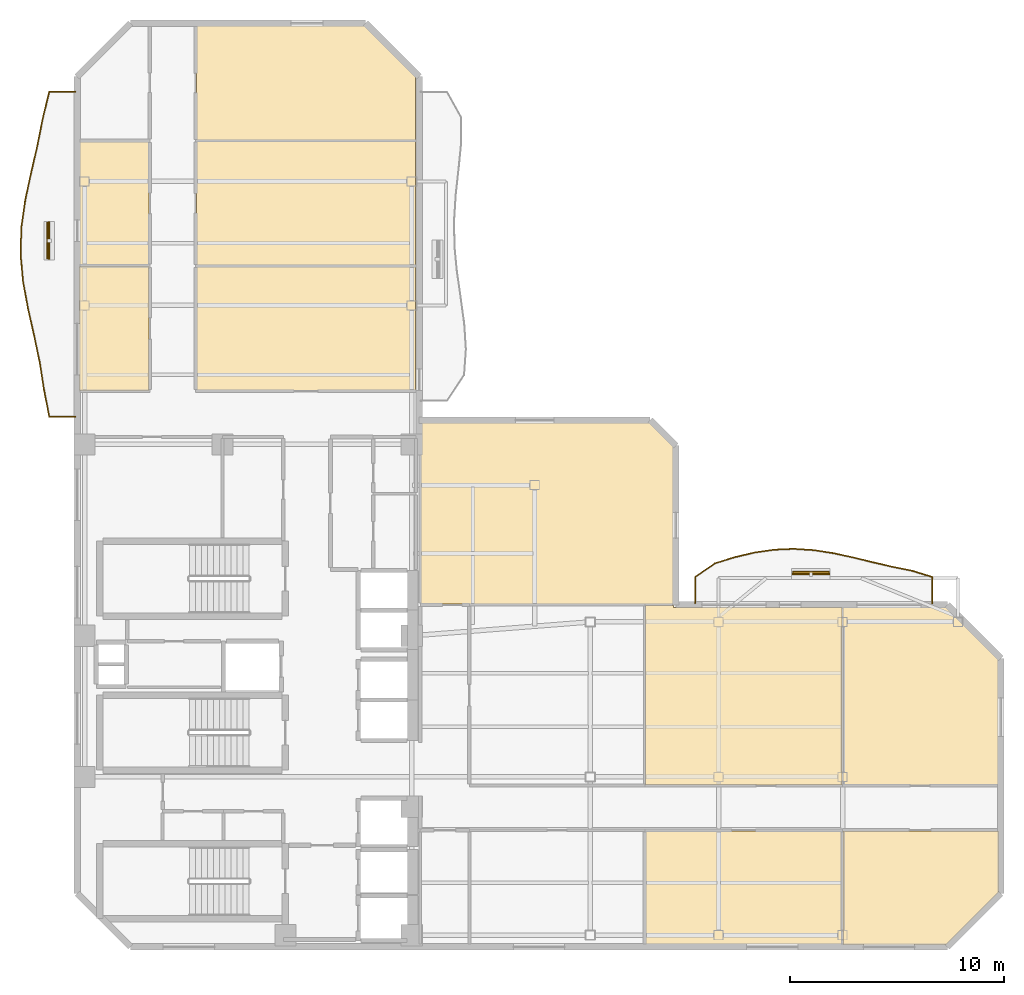
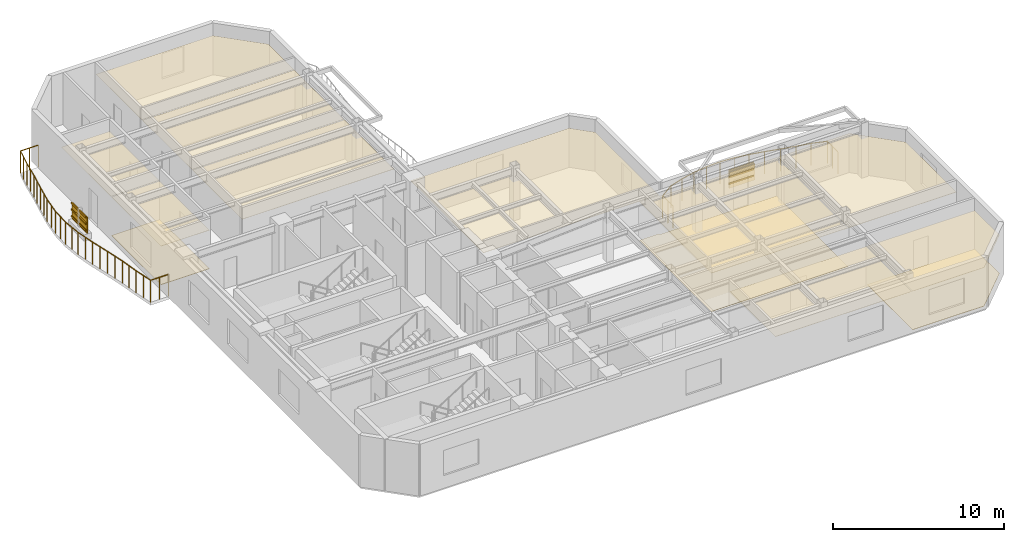
# One storey, part 8 of 9: 13 coverings, 8 shading devices, 2 railings.
"""IFC4 building model written with IfcOpenShell, lengths in metres."""

from ifc_helpers import new_model, si_unit, direction, frame, origin, origin_2d, place, context, subcontext, project, spatial, polyline, rectangle, outline, extrude, material, layer, layer_set, material_profile, profile_set, type_object, element, save


model = new_model("IFC4")

# Units and contexts
model_context = context("Model", 3, precision=1e-05, world=origin(), true_north=direction((0.0, 1.0)))
body_context = subcontext(model_context, "Body", "Model", "MODEL_VIEW")
ifc_project = project(units=[si_unit("LENGTHUNIT", "METRE"), si_unit("AREAUNIT", "SQUARE_METRE"), si_unit("VOLUMEUNIT", "CUBIC_METRE"), si_unit("PLANEANGLEUNIT", "RADIAN"), si_unit("MASSUNIT", "GRAM", prefix="KILO")], contexts=[model_context])

# Site, building, storey
site_placement = place(None, origin())
site = spatial("IfcSite", under=ifc_project, at=site_placement, CompositionType="ELEMENT")
building_placement = place(site_placement, origin())
building = spatial("IfcBuilding", under=site, at=building_placement, Name="Mawjaban Terraces University", CompositionType="ELEMENT")
storey_placement = place(building_placement, frame((0.0, 0.0, 179.699951171875)))
storey = spatial("IfcBuildingStorey", under=building, at=storey_placement, Name="L43", CompositionType="ELEMENT", Elevation=179.699951171875)

# Coverings
ifc_material_1 = material(Name="Acoustic mineral fibre ceiling tile", Category="masonry")
ifc_layer_1 = layer(ifc_material_1, 0.02001953125)
ifc_layer_set_1 = layer_set([ifc_layer_1], Name="Acoustic mineral fibre ceiling tile")
covering_type_1 = type_object("IfcCoveringType", Name="AcousticMineralCeiling_20", PredefinedType="CEILING", material=ifc_layer_set_1)
covering_1_placement = place(storey_placement, frame((0.0, 0.0, 2.75)))
element("IfcCovering", 1, at=covering_1_placement, inside=storey, type_object=covering_type_1, Name="L43 Teaching Laboratory 4 Acoustic Ceiling", PredefinedType="CEILING", context=body_context, shape_type="SweptSolid", body=[
    extrude(outline(polyline([(48.580078125, 0.114990234375), (57.77001953125, 0.114990234375), (57.77001953125, 5.419921875), (48.580078125, 5.419921875), (48.580078125, 0.114990234375)])), origin(), (0.0, 0.0, 1.0), 0.02001953125),
])
covering_2_placement = place(storey_placement, frame((0.0, 0.0, 2.75)))
element("IfcCovering", 2, at=covering_2_placement, inside=storey, type_object=covering_type_1, Name="L43 Seminar Room 5 Acoustic Ceiling", PredefinedType="CEILING", context=body_context, shape_type="SweptSolid", body=[
    extrude(outline(polyline([(57.77001953125, 15.885009765625), (49.885009765625, 15.885009765625), (49.885009765625, 15.969970703125), (48.580078125, 15.969970703125), (48.580078125, 7.580078125), (57.77001953125, 7.580078125), (57.77001953125, 15.885009765625)])), origin(), (0.0, 0.0, 1.0), 0.02001953125),
])
covering_3_placement = place(storey_placement, frame((0.0, 0.0, 2.75)))
element("IfcCovering", 3, at=covering_3_placement, inside=storey, type_object=covering_type_1, Name="L43 Classroom 6 Acoustic Ceiling", PredefinedType="CEILING", context=body_context, shape_type="SweptSolid", body=[
    extrude(outline(polyline([(57.830078125, 0.114990234375), (62.653076171875, 0.114990234375), (65.0849609375, 2.547119140625), (65.0849609375, 5.419921875), (57.830078125, 5.419921875), (57.830078125, 0.114990234375)])), origin(), (0.0, 0.0, 1.0), 0.02001953125),
])
covering_4_placement = place(storey_placement, frame((0.0, 0.0, 2.75)))
element("IfcCovering", 4, at=covering_4_placement, inside=storey, type_object=covering_type_1, Name="L43 Faculty Office 7 Acoustic Ceiling", PredefinedType="CEILING", context=body_context, shape_type="SweptSolid", body=[
    extrude(outline(polyline([(65.0849609375, 7.580078125), (65.0849609375, 13.452880859375), (62.653076171875, 15.885009765625), (57.830078125, 15.885009765625), (57.830078125, 7.580078125), (65.0849609375, 7.580078125)])), origin(), (0.0, 0.0, 1.0), 0.02001953125),
])
covering_5_placement = place(storey_placement, frame((0.0, 0.0, 2.75)))
element("IfcCovering", 5, at=covering_5_placement, inside=storey, type_object=covering_type_1, Name="L43 Classroom 8 Acoustic Ceiling", PredefinedType="CEILING", context=body_context, shape_type="SweptSolid", body=[
    extrude(outline(polyline([(22.114990234375, 31.818115234375), (22.114990234375, 26.030029296875), (25.3701171875, 26.030029296875), (25.3701171875, 31.818115234375), (22.114990234375, 31.818115234375)])), origin(), (0.0, 0.0, 1.0), 0.02001953125),
])
covering_6_placement = place(storey_placement, frame((0.0, 0.0, 2.75)))
element("IfcCovering", 6, at=covering_6_placement, inside=storey, type_object=covering_type_1, Name="L43 Computational Laboratory 9 Acoustic Ceiling", PredefinedType="CEILING", context=body_context, shape_type="SweptSolid", body=[
    extrude(outline(polyline([(37.820068359375, 26.030029296875), (37.820068359375, 31.818115234375), (27.580078125, 31.818115234375), (27.580078125, 26.030029296875), (37.820068359375, 26.030029296875)])), origin(), (0.0, 0.0, 1.0), 0.02001953125),
])
covering_7_placement = place(storey_placement, frame((0.0, 0.0, 2.75)))
element("IfcCovering", 7, at=covering_7_placement, inside=storey, type_object=covering_type_1, Name="L43 Design Studio 10 Acoustic Ceiling", PredefinedType="CEILING", context=body_context, shape_type="SweptSolid", body=[
    extrude(outline(polyline([(22.114990234375, 37.666015625), (22.114990234375, 31.8779296875), (25.3701171875, 31.8779296875), (25.3701171875, 37.666015625), (22.114990234375, 37.666015625)])), origin(), (0.0, 0.0, 1.0), 0.02001953125),
])
covering_8_placement = place(storey_placement, frame((0.0, 0.0, 2.75)))
element("IfcCovering", 8, at=covering_8_placement, inside=storey, type_object=covering_type_1, Name="L43 Faculty Office 11 Acoustic Ceiling", PredefinedType="CEILING", context=body_context, shape_type="SweptSolid", body=[
    extrude(outline(polyline([(37.820068359375, 31.8779296875), (37.820068359375, 37.666015625), (27.580078125, 37.666015625), (27.580078125, 31.8779296875), (37.820068359375, 31.8779296875)])), origin(), (0.0, 0.0, 1.0), 0.02001953125),
])
covering_9_placement = place(storey_placement, frame((0.0, 0.0, 2.75)))
element("IfcCovering", 9, at=covering_9_placement, inside=storey, type_object=covering_type_1, Name="L43 Collaborative Study Room 13 Acoustic Ceiling", PredefinedType="CEILING", context=body_context, shape_type="SweptSolid", body=[
    extrude(outline(polyline([(37.820068359375, 40.718017578125), (35.452880859375, 43.0849609375), (27.580078125, 43.0849609375), (27.580078125, 37.72607421875), (37.820068359375, 37.72607421875), (37.820068359375, 40.718017578125)])), origin(), (0.0, 0.0, 1.0), 0.02001953125),
])
covering_10_placement = place(storey_placement, frame((0.0, 0.0, 2.75)))
element("IfcCovering", 10, at=covering_10_placement, inside=storey, type_object=covering_type_1, Name="L43 Terrace Collaborative Study Room Acoustic Ceiling", PredefinedType="CEILING", context=body_context, shape_type="SweptSolid", body=[
    extrude(outline(polyline([(49.885009765625, 16.030029296875), (49.885009765625, 23.39306640625), (48.7529296875, 24.52490234375), (38.080078125, 24.52490234375), (38.080078125, 16.030029296875), (49.885009765625, 16.030029296875)])), origin(), (0.0, 0.0, 1.0), 0.02001953125),
])

# Railings
ifc_material_2 = material(Name="Galvanised powder-coated steel S355", Category="steel")
railing_type = type_object("IfcRailingType", Name="BalconyBalustrade_1600", PredefinedType="BALUSTRADE", material=ifc_material_2)
railing_1_placement = place(storey_placement, frame((21.919921875, 24.800048828125, 0.0)))
element("IfcRailing", 11, at=railing_1_placement, inside=storey, type_object=railing_type, Name="L43 Balcony Guardrail west", PredefinedType="BALUSTRADE", context=body_context, shape_type="SweptSolid", body=[
    extrude(rectangle(XDim=0.048095703125, YDim=0.048095703125, at=origin_2d()), frame((0.0, 0.0, 1.576171875), z_axis=(-1.0, 0.0, 0.0), x_axis=(0.0, -1.0, 0.0)), (0.0, 0.0, 1.0), 1.219970703125),
    extrude(rectangle(XDim=0.048095703125, YDim=0.048095703125, at=origin_2d()), frame((-1.219970703125, 0.0, 1.576171875), z_axis=(-0.192878604665, 0.981222627064, 0.0), x_axis=(-0.981222627064, -0.192878604665, 0.0)), (0.0, 0.0, 1.0), 1.291015625),
    extrude(rectangle(XDim=0.048095703125, YDim=0.048095703125, at=origin_2d()), frame((-1.468994140625, 1.266845703125, 1.576171875), z_axis=(-0.153760748703, 0.988108107526, 0.0), x_axis=(-0.988108107526, -0.153760748703, 0.0)), (0.0, 0.0, 1.0), 1.28125),
    extrude(rectangle(XDim=0.048095703125, YDim=0.048095703125, at=origin_2d()), frame((-1.666015625, 2.532958984375, 1.576171875), z_axis=(-0.205354685129, 0.978687617831, 0.0), x_axis=(-0.978687617831, -0.205354685129, 0.0)), (0.0, 0.0, 1.0), 1.294677734375),
    extrude(rectangle(XDim=0.048095703125, YDim=0.048095703125, at=origin_2d()), frame((-1.931884765625, 3.800048828125, 1.576171875), z_axis=(-0.220312798327, 0.975429275188, 0.0), x_axis=(-0.975429275188, -0.220312798327, 0.0)), (0.0, 0.0, 1.0), 1.298828125),
    extrude(rectangle(XDim=0.048095703125, YDim=0.048095703125, at=origin_2d()), frame((-2.218017578125, 5.06689453125, 1.576171875), z_axis=(-0.180187181391, 0.983632339679, 0.0), x_axis=(-0.983632339679, -0.180187181391, 0.0)), (0.0, 0.0, 1.0), 1.287109375),
    extrude(rectangle(XDim=0.048095703125, YDim=0.048095703125, at=origin_2d()), frame((-2.449951171875, 6.3330078125, 1.576171875), z_axis=(-0.089635795522, 0.995974610199, 0.0), x_axis=(-0.995974610199, -0.089635795522, 0.0)), (0.0, 0.0, 1.0), 1.27197265625),
    extrude(rectangle(XDim=0.048095703125, YDim=0.048095703125, at=origin_2d()), frame((-2.56396484375, 7.599853515625, 1.576171875), z_axis=(0.03081387714, 0.999525139742, 0.0), x_axis=(-0.999525139742, 0.03081387714, 0.0)), (0.0, 0.0, 1.0), 1.267578125),
    extrude(rectangle(XDim=0.048095703125, YDim=0.048095703125, at=origin_2d()), frame((-2.52490234375, 8.866943359375, 1.576171875), z_axis=(0.141448080519, 0.989945675538, 0.0), x_axis=(-0.989945675538, 0.141448080519, 0.0)), (0.0, 0.0, 1.0), 1.279052734375),
    extrude(rectangle(XDim=0.048095703125, YDim=0.048095703125, at=origin_2d()), frame((-2.343994140625, 10.133056640625, 1.576171875), z_axis=(0.209902241182, 0.97772237836, 0.0), x_axis=(-0.97772237836, 0.209902241182, 0.0)), (0.0, 0.0, 1.0), 1.295654296875),
    extrude(rectangle(XDim=0.048095703125, YDim=0.048095703125, at=origin_2d()), frame((-2.072021484375, 11.39990234375, 1.576171875), z_axis=(0.225448983558, 0.974254974744, 0.0), x_axis=(-0.974254974744, 0.225448983558, 0.0)), (0.0, 0.0, 1.0), 1.300537109375),
    extrude(rectangle(XDim=0.048095703125, YDim=0.048095703125, at=origin_2d()), frame((-1.77880859375, 12.6669921875, 1.576171875), z_axis=(0.193750446921, 0.981050846958, 0.0), x_axis=(-0.981050846958, 0.193750446921, 0.0)), (0.0, 0.0, 1.0), 1.290283203125),
    extrude(rectangle(XDim=0.048095703125, YDim=0.048095703125, at=origin_2d()), frame((-1.52880859375, 13.932861328125, 1.576171875), z_axis=(0.236805346908, 0.971557114984, 0.0), x_axis=(-0.971557114984, 0.236805346908, 0.0)), (0.0, 0.0, 1.0), 1.30419921875),
    extrude(rectangle(XDim=0.048095703125, YDim=0.048095703125, at=origin_2d()), frame((-1.219970703125, 15.199951171875, 1.576171875), z_axis=(1.0, 0.0, 0.0), x_axis=(0.0, 1.0, 0.0)), (0.0, 0.0, 1.0), 1.219970703125),
    extrude(rectangle(XDim=0.0419921875, YDim=0.0419921875, at=origin_2d()), origin(), (0.0, 0.0, 1.0), 1.552001953125),
    extrude(rectangle(XDim=0.0419921875, YDim=0.0419921875, at=origin_2d()), frame((-0.60986328125, 0.0, 0.0)), (0.0, 0.0, 1.0), 1.552001953125),
    extrude(rectangle(XDim=0.0419921875, YDim=0.0419921875, at=origin_2d()), frame((-1.219970703125, 0.0, 0.0)), (0.0, 0.0, 1.0), 1.552001953125),
    extrude(rectangle(XDim=0.0419921875, YDim=0.0419921875, at=origin_2d()), frame((-1.344482421875, 0.63330078125, 0.0)), (0.0, 0.0, 1.0), 1.552001953125),
    extrude(rectangle(XDim=0.0419921875, YDim=0.0419921875, at=origin_2d()), frame((-1.468994140625, 1.266845703125, 0.0)), (0.0, 0.0, 1.0), 1.552001953125),
    extrude(rectangle(XDim=0.0419921875, YDim=0.0419921875, at=origin_2d()), frame((-1.5673828125, 1.89990234375, 0.0)), (0.0, 0.0, 1.0), 1.552001953125),
    extrude(rectangle(XDim=0.0419921875, YDim=0.0419921875, at=origin_2d()), frame((-1.666015625, 2.532958984375, 0.0)), (0.0, 0.0, 1.0), 1.552001953125),
    extrude(rectangle(XDim=0.0419921875, YDim=0.0419921875, at=origin_2d()), frame((-1.798828125, 3.16650390625, 0.0)), (0.0, 0.0, 1.0), 1.552001953125),
    extrude(rectangle(XDim=0.0419921875, YDim=0.0419921875, at=origin_2d()), frame((-1.931884765625, 3.800048828125, 0.0)), (0.0, 0.0, 1.0), 1.552001953125),
    extrude(rectangle(XDim=0.0419921875, YDim=0.0419921875, at=origin_2d()), frame((-2.074951171875, 4.43359375, 0.0)), (0.0, 0.0, 1.0), 1.552001953125),
    extrude(rectangle(XDim=0.0419921875, YDim=0.0419921875, at=origin_2d()), frame((-2.218017578125, 5.06689453125, 0.0)), (0.0, 0.0, 1.0), 1.552001953125),
    extrude(rectangle(XDim=0.0419921875, YDim=0.0419921875, at=origin_2d()), frame((-2.333984375, 5.699951171875, 0.0)), (0.0, 0.0, 1.0), 1.552001953125),
    extrude(rectangle(XDim=0.0419921875, YDim=0.0419921875, at=origin_2d()), frame((-2.449951171875, 6.3330078125, 0.0)), (0.0, 0.0, 1.0), 1.552001953125),
    extrude(rectangle(XDim=0.0419921875, YDim=0.0419921875, at=origin_2d()), frame((-2.5068359375, 6.96630859375, 0.0)), (0.0, 0.0, 1.0), 1.552001953125),
    extrude(rectangle(XDim=0.0419921875, YDim=0.0419921875, at=origin_2d()), frame((-2.56396484375, 7.599853515625, 0.0)), (0.0, 0.0, 1.0), 1.552001953125),
    extrude(rectangle(XDim=0.0419921875, YDim=0.0419921875, at=origin_2d()), frame((-2.54443359375, 8.2333984375, 0.0)), (0.0, 0.0, 1.0), 1.552001953125),
    extrude(rectangle(XDim=0.0419921875, YDim=0.0419921875, at=origin_2d()), frame((-2.52490234375, 8.866943359375, 0.0)), (0.0, 0.0, 1.0), 1.552001953125),
    extrude(rectangle(XDim=0.0419921875, YDim=0.0419921875, at=origin_2d()), frame((-2.4345703125, 9.5, 0.0)), (0.0, 0.0, 1.0), 1.552001953125),
    extrude(rectangle(XDim=0.0419921875, YDim=0.0419921875, at=origin_2d()), frame((-2.343994140625, 10.133056640625, 0.0)), (0.0, 0.0, 1.0), 1.552001953125),
    extrude(rectangle(XDim=0.0419921875, YDim=0.0419921875, at=origin_2d()), frame((-2.2080078125, 10.7666015625, 0.0)), (0.0, 0.0, 1.0), 1.552001953125),
    extrude(rectangle(XDim=0.0419921875, YDim=0.0419921875, at=origin_2d()), frame((-2.072021484375, 11.39990234375, 0.0)), (0.0, 0.0, 1.0), 1.552001953125),
    extrude(rectangle(XDim=0.0419921875, YDim=0.0419921875, at=origin_2d()), frame((-1.92529296875, 12.033447265625, 0.0)), (0.0, 0.0, 1.0), 1.552001953125),
    extrude(rectangle(XDim=0.0419921875, YDim=0.0419921875, at=origin_2d()), frame((-1.77880859375, 12.6669921875, 0.0)), (0.0, 0.0, 1.0), 1.552001953125),
    extrude(rectangle(XDim=0.0419921875, YDim=0.0419921875, at=origin_2d()), frame((-1.65380859375, 13.2998046875, 0.0)), (0.0, 0.0, 1.0), 1.552001953125),
    extrude(rectangle(XDim=0.0419921875, YDim=0.0419921875, at=origin_2d()), frame((-1.52880859375, 13.932861328125, 0.0)), (0.0, 0.0, 1.0), 1.552001953125),
    extrude(rectangle(XDim=0.0419921875, YDim=0.0419921875, at=origin_2d()), frame((-1.37451171875, 14.56640625, 0.0)), (0.0, 0.0, 1.0), 1.552001953125),
    extrude(rectangle(XDim=0.0419921875, YDim=0.0419921875, at=origin_2d()), frame((-1.219970703125, 15.199951171875, 0.0)), (0.0, 0.0, 1.0), 1.552001953125),
    extrude(rectangle(XDim=0.0419921875, YDim=0.0419921875, at=origin_2d()), frame((-0.60986328125, 15.199951171875, 0.0)), (0.0, 0.0, 1.0), 1.552001953125),
    extrude(rectangle(XDim=0.0419921875, YDim=0.0419921875, at=origin_2d()), frame((0.0, 15.199951171875, 0.0)), (0.0, 0.0, 1.0), 1.552001953125),
])
railing_2_placement = place(storey_placement, frame((50.89990234375, 16.080078125, 0.0)))
element("IfcRailing", 12, at=railing_2_placement, inside=storey, type_object=railing_type, Name="L43 Balcony Guardrail inner_north", PredefinedType="BALUSTRADE", context=body_context, shape_type="SweptSolid", body=[
    extrude(rectangle(XDim=0.048095703125, YDim=0.048095703125, at=origin_2d()), frame((0.0, 0.0, 1.576171875), z_axis=(0.0, 1.0, 0.0), x_axis=(-1.0, 0.0, 0.0)), (0.0, 0.0, 1.0), 1.219970703125),
    extrude(rectangle(XDim=0.048095703125, YDim=0.048095703125, at=origin_2d()), frame((0.0, 1.219970703125, 1.576171875), z_axis=(0.823223290205, 0.567717724282, 0.0), x_axis=(-0.567717724282, 0.823223290205, 0.0)), (0.0, 0.0, 1.0), 1.123779296875),
    extrude(rectangle(XDim=0.048095703125, YDim=0.048095703125, at=origin_2d()), frame((0.925048828125, 1.85791015625, 1.576171875), z_axis=(0.954770964076, 0.297342237427, 0.0), x_axis=(-0.297342237427, 0.954770964076, 0.0)), (0.0, 0.0, 1.0), 0.96875),
    extrude(rectangle(XDim=0.048095703125, YDim=0.048095703125, at=origin_2d()), frame((1.85009765625, 2.14599609375, 1.576171875), z_axis=(0.973103017922, 0.230370389833, 0.0), x_axis=(-0.230370389833, 0.973103017922, 0.0)), (0.0, 0.0, 1.0), 0.95068359375),
    extrude(rectangle(XDim=0.048095703125, YDim=0.048095703125, at=origin_2d()), frame((2.775146484375, 2.364990234375, 1.576171875), z_axis=(0.989516659482, 0.144418768196, 0.0), x_axis=(-0.144418768196, 0.989516659482, 0.0)), (0.0, 0.0, 1.0), 0.934814453125),
    extrude(rectangle(XDim=0.048095703125, YDim=0.048095703125, at=origin_2d()), frame((3.7001953125, 2.5, 1.576171875), z_axis=(0.999120226458, 0.041937728619, 0.0), x_axis=(-0.041937728619, 0.999120226458, 0.0)), (0.0, 0.0, 1.0), 0.925537109375),
    extrude(rectangle(XDim=0.048095703125, YDim=0.048095703125, at=origin_2d()), frame((4.625, 2.538818359375, 1.576171875), z_axis=(0.99791601918, -0.064526108392, 0.0), x_axis=(0.064526108392, 0.99791601918, 0.0)), (0.0, 0.0, 1.0), 0.927001953125),
    extrude(rectangle(XDim=0.048095703125, YDim=0.048095703125, at=origin_2d()), frame((5.550048828125, 2.47900390625, 1.576171875), z_axis=(0.988250775862, -0.152841107061, 0.0), x_axis=(0.152841107061, 0.988250775862, 0.0)), (0.0, 0.0, 1.0), 0.93603515625),
    extrude(rectangle(XDim=0.048095703125, YDim=0.048095703125, at=origin_2d()), frame((6.47509765625, 2.3359375, 1.576171875), z_axis=(0.977213591944, -0.212258323085, 0.0), x_axis=(0.212258323085, 0.977213591944, 0.0)), (0.0, 0.0, 1.0), 0.946533203125),
    extrude(rectangle(XDim=0.048095703125, YDim=0.048095703125, at=origin_2d()), frame((7.400146484375, 2.135009765625, 1.576171875), z_axis=(0.971646907474, -0.236436645207, 0.0), x_axis=(0.236436645207, 0.971646907474, 0.0)), (0.0, 0.0, 1.0), 0.9521484375),
    extrude(rectangle(XDim=0.048095703125, YDim=0.048095703125, at=origin_2d()), frame((8.3251953125, 1.909912109375, 1.576171875), z_axis=(0.974004069032, -0.226530513415, 0.0), x_axis=(0.226530513415, 0.974004069032, 0.0)), (0.0, 0.0, 1.0), 0.949462890625),
    extrude(rectangle(XDim=0.048095703125, YDim=0.048095703125, at=origin_2d()), frame((9.25, 1.69482421875, 1.576171875), z_axis=(0.980170622568, -0.198155369989, 0.0), x_axis=(0.198155369989, 0.980170622568, 0.0)), (0.0, 0.0, 1.0), 0.94384765625),
    extrude(rectangle(XDim=0.048095703125, YDim=0.048095703125, at=origin_2d()), frame((10.175048828125, 1.5078125, 1.576171875), z_axis=(0.954842478745, -0.297112505263, 0.0), x_axis=(0.297112505263, 0.954842478745, 0.0)), (0.0, 0.0, 1.0), 0.96875),
    extrude(rectangle(XDim=0.048095703125, YDim=0.048095703125, at=origin_2d()), frame((11.10009765625, 1.219970703125, 1.576171875), z_axis=(0.0, -1.0, 0.0), x_axis=(1.0, 0.0, 0.0)), (0.0, 0.0, 1.0), 1.219970703125),
    extrude(rectangle(XDim=0.0419921875, YDim=0.0419921875, at=origin_2d()), origin(), (0.0, 0.0, 1.0), 1.552001953125),
    extrude(rectangle(XDim=0.0419921875, YDim=0.0419921875, at=origin_2d()), frame((0.0, 0.60986328125, 0.0)), (0.0, 0.0, 1.0), 1.552001953125),
    extrude(rectangle(XDim=0.0419921875, YDim=0.0419921875, at=origin_2d()), frame((0.0, 1.219970703125, 0.0)), (0.0, 0.0, 1.0), 1.552001953125),
    extrude(rectangle(XDim=0.0419921875, YDim=0.0419921875, at=origin_2d()), frame((0.925048828125, 1.85791015625, 0.0)), (0.0, 0.0, 1.0), 1.552001953125),
    extrude(rectangle(XDim=0.0419921875, YDim=0.0419921875, at=origin_2d()), frame((1.85009765625, 2.14599609375, 0.0)), (0.0, 0.0, 1.0), 1.552001953125),
    extrude(rectangle(XDim=0.0419921875, YDim=0.0419921875, at=origin_2d()), frame((2.775146484375, 2.364990234375, 0.0)), (0.0, 0.0, 1.0), 1.552001953125),
    extrude(rectangle(XDim=0.0419921875, YDim=0.0419921875, at=origin_2d()), frame((3.7001953125, 2.5, 0.0)), (0.0, 0.0, 1.0), 1.552001953125),
    extrude(rectangle(XDim=0.0419921875, YDim=0.0419921875, at=origin_2d()), frame((4.625, 2.538818359375, 0.0)), (0.0, 0.0, 1.0), 1.552001953125),
    extrude(rectangle(XDim=0.0419921875, YDim=0.0419921875, at=origin_2d()), frame((5.550048828125, 2.47900390625, 0.0)), (0.0, 0.0, 1.0), 1.552001953125),
    extrude(rectangle(XDim=0.0419921875, YDim=0.0419921875, at=origin_2d()), frame((6.47509765625, 2.3359375, 0.0)), (0.0, 0.0, 1.0), 1.552001953125),
    extrude(rectangle(XDim=0.0419921875, YDim=0.0419921875, at=origin_2d()), frame((7.400146484375, 2.135009765625, 0.0)), (0.0, 0.0, 1.0), 1.552001953125),
    extrude(rectangle(XDim=0.0419921875, YDim=0.0419921875, at=origin_2d()), frame((8.3251953125, 1.909912109375, 0.0)), (0.0, 0.0, 1.0), 1.552001953125),
    extrude(rectangle(XDim=0.0419921875, YDim=0.0419921875, at=origin_2d()), frame((9.25, 1.69482421875, 0.0)), (0.0, 0.0, 1.0), 1.552001953125),
    extrude(rectangle(XDim=0.0419921875, YDim=0.0419921875, at=origin_2d()), frame((10.175048828125, 1.5078125, 0.0)), (0.0, 0.0, 1.0), 1.552001953125),
    extrude(rectangle(XDim=0.0419921875, YDim=0.0419921875, at=origin_2d()), frame((11.10009765625, 1.219970703125, 0.0)), (0.0, 0.0, 1.0), 1.552001953125),
    extrude(rectangle(XDim=0.0419921875, YDim=0.0419921875, at=origin_2d()), frame((11.10009765625, 0.60986328125, 0.0)), (0.0, 0.0, 1.0), 1.552001953125),
    extrude(rectangle(XDim=0.0419921875, YDim=0.0419921875, at=origin_2d()), frame((11.10009765625, 0.0, 0.0)), (0.0, 0.0, 1.0), 1.552001953125),
])

# Shading devices
ifc_material_3 = material(Name="Glazed architectural terracotta ceramic", Category="masonry")
ifc_material_profile = material_profile(ifc_material_3, rectangle(XDim=0.06494140625, YDim=0.110107421875, at=origin_2d()), Name="TBAG110X65")
ifc_profile_set = profile_set([ifc_material_profile], Name="Glazed architectural terracotta ceramic")
shading_device_type_1 = type_object("IfcShadingDeviceType", Name="TerracottaBaguette_110x65", PredefinedType="USERDEFINED", material=ifc_profile_set)
for number, where, z_axis, x_axis, name in (
    (13, (20.60791015625, 32.18408203125, 0.679931640625), (0.0, 1.0, 0.0), (-1.0, 0.0, 0.0), "L43 Horizontal Terracotta Baguette west.1"),
    (14, (20.60791015625, 32.18408203125, 1.150146484375), (0.0, 1.0, 0.0), (-1.0, 0.0, 0.0), "L43 Horizontal Terracotta Baguette west.2"),
    (15, (20.60791015625, 32.18408203125, 1.6201171875), (0.0, 1.0, 0.0), (-1.0, 0.0, 0.0), "L43 Horizontal Terracotta Baguette west.3"),
):
    element("IfcShadingDevice", number, at=place(storey_placement, frame(where, z_axis=z_axis, x_axis=x_axis)), inside=storey, type_object=shading_device_type_1, Name=name, ObjectType="BAGUETTE", PredefinedType="USERDEFINED", context=body_context, shape_type="SweptSolid", body=[
        extrude(rectangle(XDim=0.06494140625, YDim=0.110107421875, at=origin_2d()), origin(), (0.0, 0.0, 1.0), 1.699951171875),
    ])
for number, where, z_axis, x_axis, name in (
    (16, (55.472900390625, 17.529052734375, 0.679931640625), (1.0, 0.0, 0.0), (0.0, 1.0, 0.0), "L43 Horizontal Terracotta Baguette inner_north.1"),
    (17, (55.472900390625, 17.529052734375, 1.150146484375), (1.0, 0.0, 0.0), (0.0, 1.0, 0.0), "L43 Horizontal Terracotta Baguette inner_north.2"),
    (18, (55.472900390625, 17.529052734375, 1.6201171875), (1.0, 0.0, 0.0), (0.0, 1.0, 0.0), "L43 Horizontal Terracotta Baguette inner_north.3"),
):
    element("IfcShadingDevice", number, at=place(storey_placement, frame(where, z_axis=z_axis, x_axis=x_axis)), inside=storey, type_object=shading_device_type_1, Name=name, ObjectType="BAGUETTE", PredefinedType="USERDEFINED", context=body_context, shape_type="SweptSolid", body=[
        extrude(rectangle(XDim=0.06494140625, YDim=0.110107421875, at=origin_2d()), origin(), (0.0, 0.0, 1.0), 1.7001953125),
    ])
ifc_layer_2 = layer(ifc_material_3, 0.080078125)
ifc_layer_set_2 = layer_set([ifc_layer_2], Name="Glazed architectural terracotta ceramic")
shading_device_type_2 = type_object("IfcShadingDeviceType", Name="TerracottaScreen_Perforated", PredefinedType="USERDEFINED", material=ifc_layer_set_2)
for number, where, z_axis, x_axis, name in (
    (19, (20.693115234375, 33.033935546875, 0.440185546875), (0.0, 0.0, 1.0), (0.0, 1.0, 0.0), "L43 Balcony Perforated Terracotta Screen west"),
    (20, (56.322998046875, 17.444091796875, 0.440185546875), (0.0, 0.0, 1.0), (1.0, 0.0, 0.0), "L43 Balcony Perforated Terracotta Screen inner_north"),
):
    element("IfcShadingDevice", number, at=place(storey_placement, frame(where, z_axis=z_axis, x_axis=x_axis)), inside=storey, type_object=shading_device_type_2, Name=name, ObjectType="SCREEN", PredefinedType="USERDEFINED", context=body_context, shape_type="SweptSolid", body=[
        extrude(rectangle(XDim=1.75, YDim=0.080078125, at=origin_2d()), origin(), (0.0, 0.0, 1.0), 1.14990234375),
    ])

# Coverings
ifc_material_4 = material(Name="Polished Hijazi granite terrazzo flooring", Category="masonry")
ifc_layer_3 = layer(ifc_material_4, 0.02490234375)
ifc_layer_set_3 = layer_set([ifc_layer_3], Name="Polished Hijazi granite terrazzo flooring")
covering_type_2 = type_object("IfcCoveringType", Name="TerrazzoConcourseFlooring_25", PredefinedType="FLOORING", material=ifc_layer_set_3)
covering_11_placement = place(storey_placement, origin())
element("IfcCovering", 21, at=covering_11_placement, inside=storey, type_object=covering_type_2, Name="L43 Seminar Room 5 Terrazzo Flooring", PredefinedType="FLOORING", context=body_context, shape_type="SweptSolid", body=[
    extrude(outline(polyline([(57.77001953125, 15.885009765625), (49.885009765625, 15.885009765625), (49.885009765625, 15.969970703125), (48.580078125, 15.969970703125), (48.580078125, 7.580078125), (57.77001953125, 7.580078125), (57.77001953125, 15.885009765625)])), origin(), (0.0, 0.0, 1.0), 0.025146484375),
])
covering_12_placement = place(storey_placement, origin())
element("IfcCovering", 22, at=covering_12_placement, inside=storey, type_object=covering_type_2, Name="L43 Classroom 6 Terrazzo Flooring", PredefinedType="FLOORING", context=body_context, shape_type="SweptSolid", body=[
    extrude(outline(polyline([(57.830078125, 0.114990234375), (62.653076171875, 0.114990234375), (65.0849609375, 2.547119140625), (65.0849609375, 5.419921875), (57.830078125, 5.419921875), (57.830078125, 0.114990234375)])), origin(), (0.0, 0.0, 1.0), 0.025146484375),
])
covering_13_placement = place(storey_placement, origin())
element("IfcCovering", 23, at=covering_13_placement, inside=storey, type_object=covering_type_2, Name="L43 Classroom 8 Terrazzo Flooring", PredefinedType="FLOORING", context=body_context, shape_type="SweptSolid", body=[
    extrude(outline(polyline([(22.114990234375, 31.818115234375), (22.114990234375, 26.030029296875), (25.3701171875, 26.030029296875), (25.3701171875, 31.818115234375), (22.114990234375, 31.818115234375)])), origin(), (0.0, 0.0, 1.0), 0.025146484375),
])

save(model, "model.ifc")
